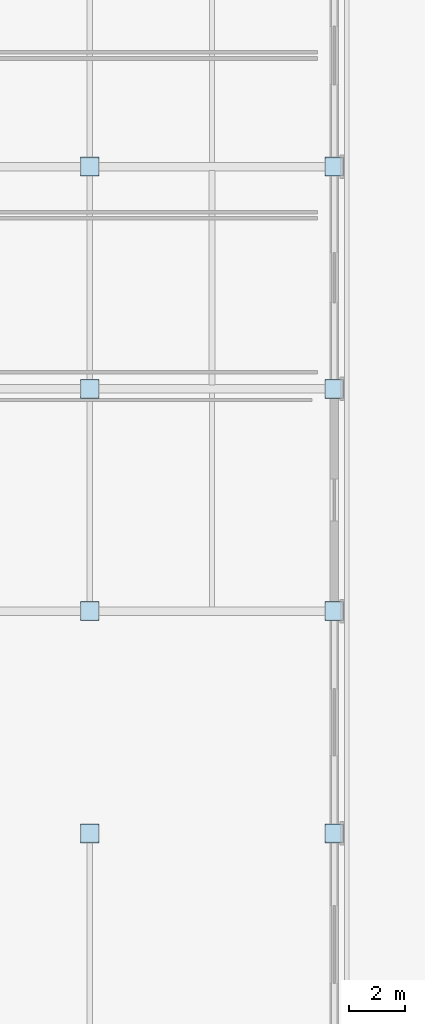
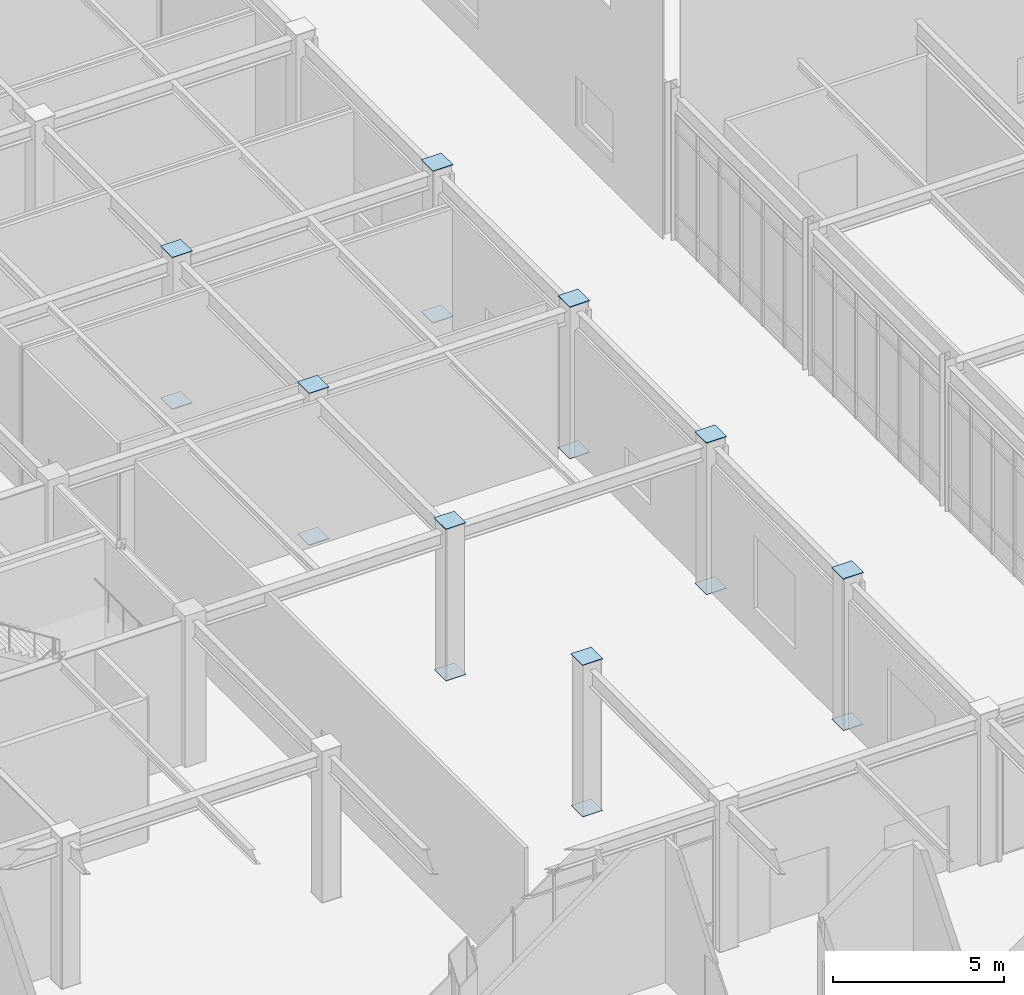
# One storey, part 74 of 119: 16 plates.
"""IFC4 building model written with IfcOpenShell, lengths in metres."""

from ifc_helpers import new_model, si_unit, direction, frame, origin, origin_2d, place, context, subcontext, project, spatial, rectangle, extrude, material, layer, layer_set, type_object, element, save


model = new_model("IFC4")

# Units and contexts
model_context = context("Model", 3, precision=1e-05, world=origin(), true_north=direction((0.0, 1.0)))
body_context = subcontext(model_context, "Body", "Model", "MODEL_VIEW")
ifc_project = project(units=[si_unit("LENGTHUNIT", "METRE"), si_unit("AREAUNIT", "SQUARE_METRE"), si_unit("VOLUMEUNIT", "CUBIC_METRE"), si_unit("PLANEANGLEUNIT", "RADIAN"), si_unit("MASSUNIT", "GRAM", prefix="KILO")], contexts=[model_context])

# Site, building, storey
site_placement = place(None, origin())
site = spatial("IfcSite", under=ifc_project, at=site_placement, CompositionType="ELEMENT")
building_placement = place(site_placement, origin())
building = spatial("IfcBuilding", under=site, at=building_placement, Name="Zhaolan Boulevard Law Courts", CompositionType="ELEMENT")
storey_placement = place(building_placement, origin())
storey = spatial("IfcBuildingStorey", under=building, at=storey_placement, Name="L00", CompositionType="ELEMENT", Elevation=0.0)

# Plates
ifc_material = material(Name="Structural steel Q355B", Category="steel")
ifc_layer = layer(ifc_material, 0.02001953125)
ifc_layer_set = layer_set([ifc_layer])
plate_type = type_object("IfcPlateType", Name="END CAP PLATE 20", PredefinedType="SHEET", material=ifc_layer_set)
for number, where, z_axis, x_axis, name in (
    (1, (35.199951171875, 38.0, -0.01806640625), (0.0, 0.0, 1.0), (1.0, 0.0, 0.0), "Hollow Section End-Cap Plate ECP-0379"),
    (2, (35.199951171875, 38.0, 5.39794921875), (0.0, 0.0, 1.0), (1.0, 0.0, 0.0), "Hollow Section End-Cap Plate ECP-0380"),
    (3, (35.199951171875, 46.0, -0.01806640625), (0.0, 0.0, 1.0), (1.0, 0.0, 0.0), "Hollow Section End-Cap Plate ECP-0401"),
    (4, (35.199951171875, 46.0, 5.39794921875), (0.0, 0.0, 1.0), (1.0, 0.0, 0.0), "Hollow Section End-Cap Plate ECP-0402"),
    (5, (35.199951171875, 54.0, -0.01806640625), (0.0, 0.0, 1.0), (1.0, 0.0, 0.0), "Hollow Section End-Cap Plate ECP-0423"),
    (6, (35.199951171875, 54.0, 5.39794921875), (0.0, 0.0, 1.0), (1.0, 0.0, 0.0), "Hollow Section End-Cap Plate ECP-0424"),
    (7, (35.199951171875, 62.0, -0.01806640625), (0.0, 0.0, 1.0), (1.0, 0.0, 0.0), "Hollow Section End-Cap Plate ECP-0445"),
    (8, (35.199951171875, 62.0, 5.39794921875), (0.0, 0.0, 1.0), (1.0, 0.0, 0.0), "Hollow Section End-Cap Plate ECP-0446"),
    (9, (44.0, 38.0, -0.01806640625), (0.0, 0.0, 1.0), (1.0, 0.0, 0.0), "Hollow Section End-Cap Plate ECP-0507"),
    (10, (44.0, 38.0, 5.39794921875), (0.0, 0.0, 1.0), (1.0, 0.0, 0.0), "Hollow Section End-Cap Plate ECP-0508"),
    (11, (44.0, 46.0, -0.01806640625), (0.0, 0.0, 1.0), (1.0, 0.0, 0.0), "Hollow Section End-Cap Plate ECP-0525"),
    (12, (44.0, 46.0, 5.39794921875), (0.0, 0.0, 1.0), (1.0, 0.0, 0.0), "Hollow Section End-Cap Plate ECP-0526"),
    (13, (44.0, 54.0, -0.01806640625), (0.0, 0.0, 1.0), (1.0, 0.0, 0.0), "Hollow Section End-Cap Plate ECP-0543"),
    (14, (44.0, 54.0, 5.39794921875), (0.0, 0.0, 1.0), (1.0, 0.0, 0.0), "Hollow Section End-Cap Plate ECP-0544"),
    (15, (44.0, 62.0, -0.01806640625), (0.0, 0.0, 1.0), (1.0, 0.0, 0.0), "Hollow Section End-Cap Plate ECP-0561"),
    (16, (44.0, 62.0, 5.39794921875), (0.0, 0.0, 1.0), (1.0, 0.0, 0.0), "Hollow Section End-Cap Plate ECP-0562"),
):
    element("IfcPlate", number, at=place(storey_placement, frame(where, z_axis=z_axis, x_axis=x_axis)), inside=storey, type_object=plate_type, Name=name, PredefinedType="SHEET", context=body_context, shape_type="SweptSolid", body=[
        extrude(rectangle(XDim=0.679931640625, YDim=0.679931640625, at=origin_2d()), origin(), (0.0, 0.0, 1.0), 0.02001953125),
    ])

save(model, "model.ifc")
